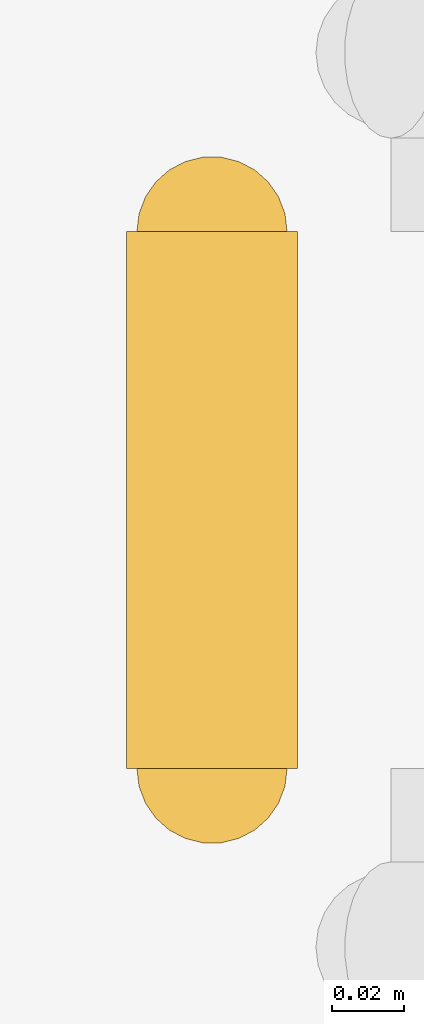
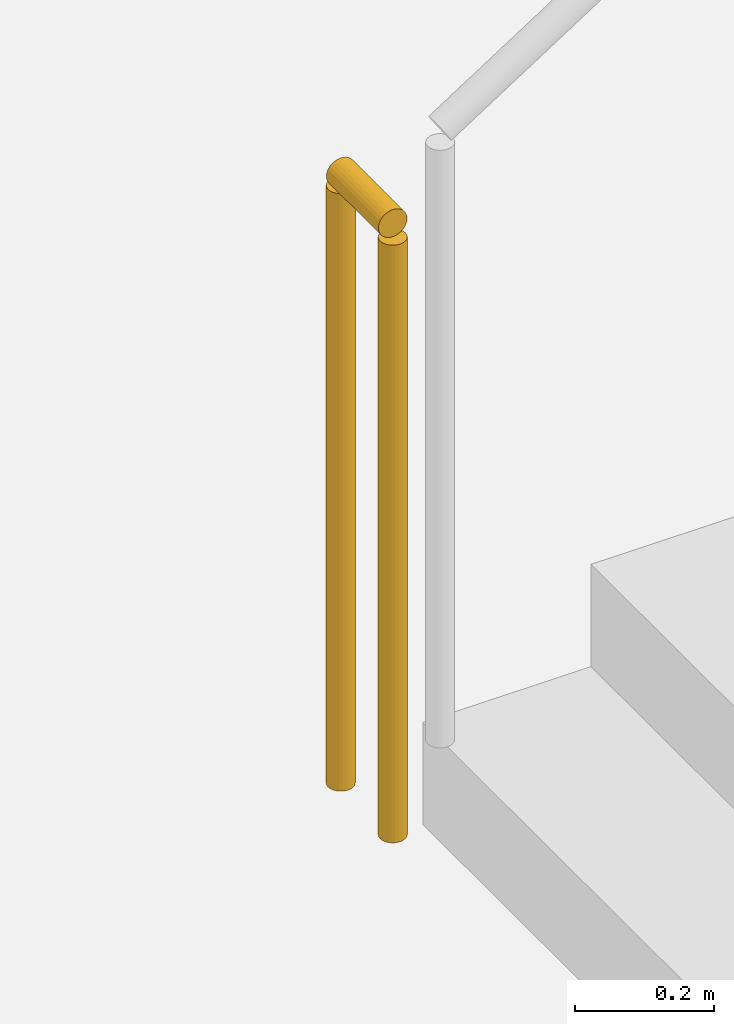
# One storey, part 53 of 65: 1 railing.
"""IFC4 building model written with IfcOpenShell, lengths in metres."""

from ifc_helpers import new_model, si_unit, direction, frame, origin, origin_2d, place, context, subcontext, project, spatial, circle, extrude, material, type_object, element, save


model = new_model("IFC4")

# Units and contexts
model_context = context("Model", 3, precision=1e-05, world=origin(), true_north=direction((0.0, 1.0)))
body_context = subcontext(model_context, "Body", "Model", "MODEL_VIEW")
ifc_project = project(units=[si_unit("LENGTHUNIT", "METRE"), si_unit("AREAUNIT", "SQUARE_METRE"), si_unit("VOLUMEUNIT", "CUBIC_METRE"), si_unit("PLANEANGLEUNIT", "RADIAN"), si_unit("MASSUNIT", "GRAM", prefix="KILO")], contexts=[model_context])

# Site, building, storey
site_placement = place(None, origin())
site = spatial("IfcSite", under=ifc_project, at=site_placement, CompositionType="ELEMENT")
building_placement = place(site_placement, origin())
building = spatial("IfcBuilding", under=site, at=building_placement, Name="Kaldris Quays Convention Centre", CompositionType="ELEMENT")
storey_placement = place(building_placement, frame((0.0, 0.0, -5.39990234375)))
storey = spatial("IfcBuildingStorey", under=building, at=storey_placement, Name="B1", CompositionType="ELEMENT", Elevation=-5.39990234375)

# Railing
ifc_material = material(Name="Steel S355J2", Category="steel")
railing_type = type_object("IfcRailingType", Name="INTERIOR GUARDRAIL GR01", PredefinedType="GUARDRAIL", material=ifc_material)
railing_placement = place(storey_placement, frame((49.25, 43.10009765625, 0.0)))
element("IfcRailing", 1, at=railing_placement, inside=storey, type_object=railing_type, Name="B1 ST07 Stair Guardrail 4", PredefinedType="GUARDRAIL", context=body_context, shape_type="SweptSolid", body=[
    extrude(circle(Radius=0.02392578125, at=origin_2d()), frame((0.0, 0.0, 1.076171875), z_axis=(0.0, 1.0, 0.0), x_axis=(-1.0, 0.0, 0.0)), (0.0, 0.0, 1.0), 0.14990234375),
    extrude(circle(Radius=0.02099609375, at=origin_2d()), origin(), (0.0, 0.0, 1.0), 1.052001953125),
    extrude(circle(Radius=0.02099609375, at=origin_2d()), frame((0.0, 0.14990234375, 0.0)), (0.0, 0.0, 1.0), 1.052001953125),
])

save(model, "model.ifc")
